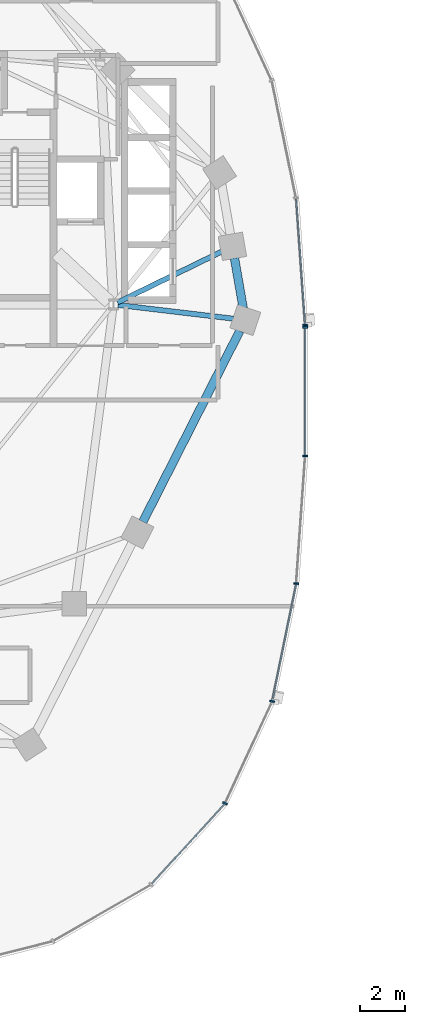
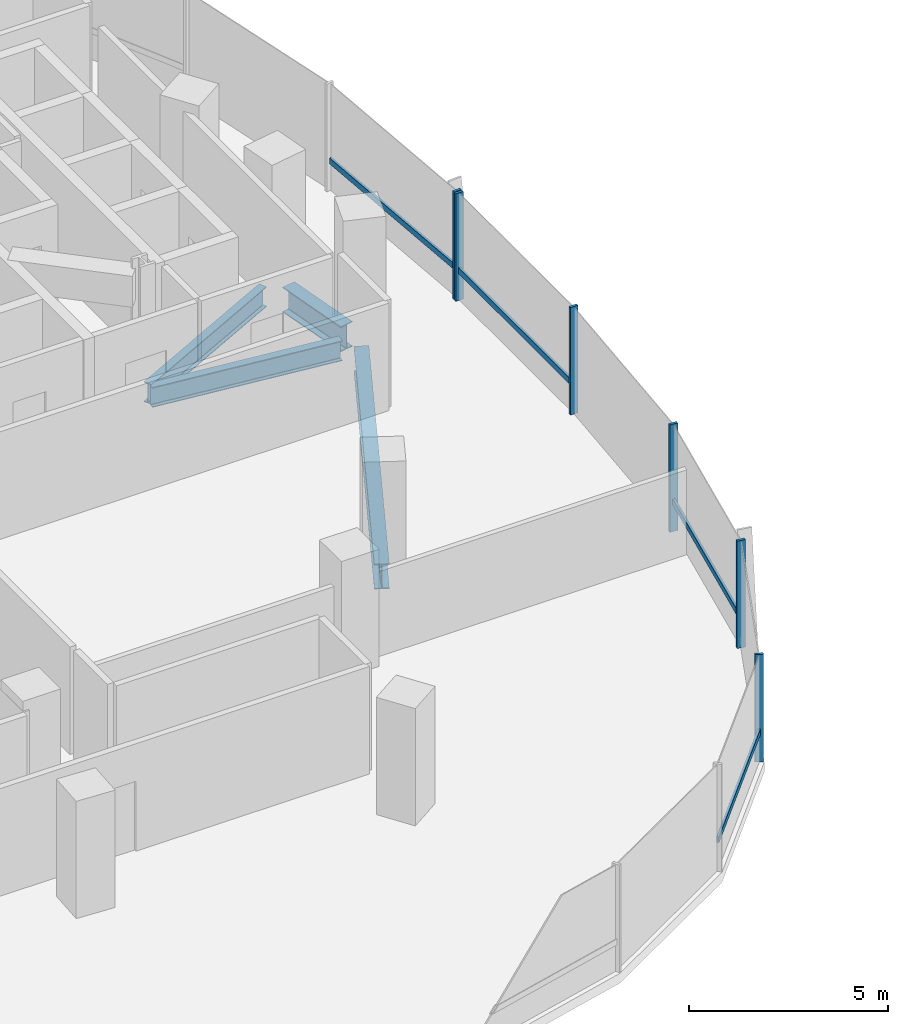
# One storey, part 3 of 21: 10 members, 4 beams, 2 elements without a shape of their own.
"""IFC4 building model written with IfcOpenShell, lengths in metres."""

from ifc_helpers import new_model, si_unit, direction, frame, origin, origin_2d, place, context, subcontext, project, spatial, rectangle, i_section, extrude, material, material_profile, profile_set, type_object, element, aggregate, save


model = new_model("IFC4")

# Units and contexts
model_context = context("Model", 3, precision=1e-05, world=origin(), true_north=direction((0.0, 1.0)))
body_context = subcontext(model_context, "Body", "Model", "MODEL_VIEW")
ifc_project = project(units=[si_unit("LENGTHUNIT", "METRE"), si_unit("AREAUNIT", "SQUARE_METRE"), si_unit("VOLUMEUNIT", "CUBIC_METRE"), si_unit("PLANEANGLEUNIT", "RADIAN"), si_unit("MASSUNIT", "GRAM", prefix="KILO"), si_unit("THERMODYNAMICTEMPERATUREUNIT", "KELVIN"), si_unit("POWERUNIT", "WATT")], contexts=[model_context])

# Site, building, storey
site_placement = place(None, origin())
site = spatial("IfcSite", under=ifc_project, at=site_placement, CompositionType="ELEMENT")
building_placement = place(site_placement, origin())
building = spatial("IfcBuilding", under=site, at=building_placement, Name="Cundina Bronze Exchange", CompositionType="ELEMENT")
storey_placement = place(building_placement, frame((0.0, 0.0, 110.60009765625)))
storey = spatial("IfcBuildingStorey", under=building, at=storey_placement, Name="L28", CompositionType="ELEMENT", Elevation=110.60009765625)

# Beams
ifc_material_1 = material(Name="Steel ASTM A992 Grade 50", Category="steel")
ifc_material_profile_1 = material_profile(ifc_material_1, i_section(OverallWidth=0.22998046875, OverallDepth=0.616943359375, WebThickness=0.01318359375, FlangeThickness=0.022216796875, FilletRadius=0.013916015625, at=origin_2d()), Name="W24X94", Category="steel")
ifc_profile_set_1 = profile_set([ifc_material_profile_1], Name="Steel ASTM A992 Grade 50")
beam_type_1 = type_object("IfcBeamType", Name="BM-FLR-W24B", PredefinedType="BEAM", material=ifc_profile_set_1)
beam_1_placement = place(storey_placement, frame((-21.247314453125, 3.8759765625, -0.608642578125), z_axis=(0.993035701683, -0.117813815752, 0.0), x_axis=(0.117813815752, 0.993035701683, 0.0)))
element("IfcBeam", 1, at=beam_1_placement, inside=storey, type_object=beam_type_1, Name="L28 Leg W Radial Floor Beam 00", PredefinedType="BEAM", context=body_context, shape_type="SweptSolid", body=[
    extrude(i_section(OverallWidth=0.22998046875, OverallDepth=0.616943359375, WebThickness=0.01318359375, FlangeThickness=0.022216796875, FilletRadius=0.013916015625, at=origin_2d()), origin(), (0.0, 0.0, 1.0), 5.19921875),
])
beam_2_placement = place(storey_placement, frame((-21.2666015625, 3.989501953125, -0.608642578125), z_axis=(0.898607246385, 0.438753936443, 0.0), x_axis=(-0.438753936443, 0.898607246385, 0.0)))
element("IfcBeam", 2, at=beam_2_placement, inside=storey, type_object=beam_type_1, Name="L28 Leg W Radial Floor Beam 01", PredefinedType="BEAM", context=body_context, shape_type="SweptSolid", body=[
    extrude(i_section(OverallWidth=0.22998046875, OverallDepth=0.616943359375, WebThickness=0.01318359375, FlangeThickness=0.022216796875, FilletRadius=0.013916015625, at=origin_2d()), origin(), (0.0, 0.0, 1.0), 5.183837890625),
])
ifc_material_profile_2 = material_profile(ifc_material_1, i_section(OverallWidth=0.381103515625, OverallDepth=0.77294921875, WebThickness=0.0166015625, FlangeThickness=0.027099609375, FilletRadius=0.01904296875, at=origin_2d()), Name="W30X173", Category="steel")
ifc_profile_set_2 = profile_set([ifc_material_profile_2], Name="Steel ASTM A992 Grade 50")
beam_type_2 = type_object("IfcBeamType", Name="BM-RING-W30", PredefinedType="USERDEFINED", material=ifc_profile_set_2)
beam_3_placement = place(storey_placement, frame((-15.642333984375, 3.72998046875, -0.6865234375), z_axis=(-0.171690078326, 0.985151012284, 0.0), x_axis=(-0.985151012284, -0.171690078326, 0.0)))
element("IfcBeam", 3, at=beam_3_placement, inside=storey, type_object=beam_type_2, Name="L28 W Perimeter Ring Girder 00", ObjectType="GIRDER", PredefinedType="USERDEFINED", context=body_context, shape_type="SweptSolid", body=[
    extrude(i_section(OverallWidth=0.381103515625, OverallDepth=0.77294921875, WebThickness=0.0166015625, FlangeThickness=0.027099609375, FilletRadius=0.01904296875, at=origin_2d()), origin(), (0.0, 0.0, 1.0), 2.273681640625),
])
beam_4_placement = place(storey_placement, frame((-20.13134765625, -5.8203125, -0.6865234375), z_axis=(0.452832332744, 0.891595692241, 0.0), x_axis=(-0.891595692241, 0.452832332744, 0.0)))
element("IfcBeam", 4, at=beam_4_placement, inside=storey, type_object=beam_type_2, Name="L28 W Perimeter Ring Girder 13", ObjectType="GIRDER", PredefinedType="USERDEFINED", context=body_context, shape_type="SweptSolid", body=[
    extrude(i_section(OverallWidth=0.381103515625, OverallDepth=0.77294921875, WebThickness=0.0166015625, FlangeThickness=0.027099609375, FilletRadius=0.01904296875, at=origin_2d()), origin(), (0.0, 0.0, 1.0), 9.578857421875),
])

# Curtain wall, member
ifc_material_2 = material(Name="Anodised Bronze Aluminium 6063-T6", Category="aluminium")
curtain_wall_type = type_object("IfcCurtainWallType", Name="CWS-TRD-MID", PredefinedType="NOTDEFINED", material=ifc_material_2)
curtain_wall_1_placement = place(storey_placement, origin())
curtain_wall_1 = element("IfcCurtainWall", 5, at=curtain_wall_1_placement, inside=storey, type_object=curtain_wall_type, Name="L28 CW-03 Curtain Wall Run CWR-L28-W1", PredefinedType="NOTDEFINED")
ifc_material_profile_3 = material_profile(ifc_material_2, rectangle(XDim=0.074951171875, YDim=0.219970703125, at=origin_2d()), Name="AL75X220", Category="aluminium")
ifc_profile_set_3 = profile_set([ifc_material_profile_3], Name="Anodised Bronze Aluminium 6063-T6")
member_type_1 = type_object("IfcMemberType", Name="CWM-MUL-220", PredefinedType="MULLION", material=ifc_profile_set_3)
member_1_placement = place(storey_placement, frame((-12.87548828125, 2.976318359375, 0.0), z_axis=(0.0, 0.0, 1.0), x_axis=(-0.070278787473, 0.997527389113, 0.0)))
member_1 = element("IfcMember", 6, at=member_1_placement, type_object=member_type_1, Name="CW-03 Mullion 1", PredefinedType="MULLION", context=body_context, shape_type="SweptSolid", body=[
    extrude(rectangle(XDim=0.074951171875, YDim=0.219970703125, at=origin_2d()), origin(), (0.0, 0.0, 1.0), 3.2998046875),
])

# Curtain wall, members
curtain_wall_2_placement = place(storey_placement, origin())
curtain_wall_2 = element("IfcCurtainWall", 7, at=curtain_wall_2_placement, inside=storey, type_object=curtain_wall_type, Name="L28 CW-03 Curtain Wall Run CWR-L28-W4", PredefinedType="NOTDEFINED")
member_2_placement = place(storey_placement, frame((-16.455810546875, -18.423583984375, 0.0), z_axis=(0.0, 0.0, 1.0), x_axis=(0.42087749791, 0.907117485088, 0.0)))
member_2 = element("IfcMember", 8, at=member_2_placement, type_object=member_type_1, Name="CW-03 Mullion 4", PredefinedType="MULLION", context=body_context, shape_type="SweptSolid", body=[
    extrude(rectangle(XDim=0.074951171875, YDim=0.219970703125, at=origin_2d()), origin(), (0.0, 0.0, 1.0), 3.2998046875),
])
member_3_placement = place(storey_placement, frame((-14.348876953125, -13.861328125, 0.0), z_axis=(0.0, 0.0, 1.0), x_axis=(0.201419845156, 0.979505000486, 0.0)))
member_3 = element("IfcMember", 9, at=member_3_placement, type_object=member_type_1, Name="CW-03 Mullion 5", PredefinedType="MULLION", context=body_context, shape_type="SweptSolid", body=[
    extrude(rectangle(XDim=0.074951171875, YDim=0.219970703125, at=origin_2d()), origin(), (0.0, 0.0, 1.0), 3.2998046875),
])
member_4_placement = place(storey_placement, frame((-13.27099609375, -8.591552734375, 0.0), z_axis=(0.0, 0.0, 1.0), x_axis=(0.070278787473, 0.997527389113, 0.0)))
member_4 = element("IfcMember", 10, at=member_4_placement, type_object=member_type_1, Name="CW-03 Mullion 6", PredefinedType="MULLION", context=body_context, shape_type="SweptSolid", body=[
    extrude(rectangle(XDim=0.074951171875, YDim=0.219970703125, at=origin_2d()), origin(), (0.0, 0.0, 1.0), 3.2998046875),
])
member_5_placement = place(storey_placement, frame((-12.8720703125, -2.880615234375, 0.0), z_axis=(0.0, 0.0, 1.0), x_axis=(0.0, 1.0, 0.0)))
member_5 = element("IfcMember", 11, at=member_5_placement, type_object=member_type_1, Name="CW-03 Mullion 7", PredefinedType="MULLION", context=body_context, shape_type="SweptSolid", body=[
    extrude(rectangle(XDim=0.074951171875, YDim=0.219970703125, at=origin_2d()), origin(), (0.0, 0.0, 1.0), 3.2998046875),
])
member_6_placement = place(storey_placement, frame((-12.8720703125, 2.880615234375, 0.0), z_axis=(0.0, 0.0, 1.0), x_axis=(0.0, 1.0, 0.0)))
member_6 = element("IfcMember", 12, at=member_6_placement, type_object=member_type_1, Name="CW-03 End Mullion", PredefinedType="MULLION", context=body_context, shape_type="SweptSolid", body=[
    extrude(rectangle(XDim=0.074951171875, YDim=0.219970703125, at=origin_2d()), origin(), (0.0, 0.0, 1.0), 3.2998046875),
])

# Member
ifc_material_profile_4 = material_profile(ifc_material_2, rectangle(XDim=0.070068359375, YDim=0.179931640625, at=origin_2d()), Name="AL70X180", Category="aluminium")
ifc_profile_set_4 = profile_set([ifc_material_profile_4], Name="Anodised Bronze Aluminium 6063-T6")
member_type_2 = type_object("IfcMemberType", Name="CWM-TRN-180", PredefinedType="USERDEFINED", material=ifc_profile_set_4)
member_7_placement = place(storey_placement, frame((-12.87841796875, 3.017333984375, 0.919921875), z_axis=(-0.070260714471, 0.997528662246, 0.0), x_axis=(-0.997528662246, -0.070260714471, 0.0)))
member_7 = element("IfcMember", 13, at=member_7_placement, type_object=member_type_2, Name="CW-03 Spandrel Transom 1", ObjectType="TRANSOM", PredefinedType="USERDEFINED", context=body_context, shape_type="SweptSolid", body=[
    extrude(rectangle(XDim=0.070068359375, YDim=0.179931640625, at=origin_2d()), origin(), (0.0, 0.0, 1.0), 5.629150390625),
])

aggregate(curtain_wall_1, [member_1, member_7])

member_8_placement = place(storey_placement, frame((-19.73291015625, -22.027099609375, 0.919921875), z_axis=(0.674302794847, 0.738454968743, 0.0), x_axis=(-0.738454968743, 0.674302794847, 0.0)))
member_8 = element("IfcMember", 14, at=member_8_placement, type_object=member_type_2, Name="CW-03 Spandrel Transom 3", ObjectType="TRANSOM", PredefinedType="USERDEFINED", context=body_context, shape_type="SweptSolid", body=[
    extrude(rectangle(XDim=0.070068359375, YDim=0.179931640625, at=origin_2d()), origin(), (0.0, 0.0, 1.0), 4.848388671875),
])

member_9_placement = place(storey_placement, frame((-14.340576171875, -13.821044921875, 0.919921875), z_axis=(0.201427712708, 0.979503382615, 0.0), x_axis=(-0.979503382615, 0.201427712708, 0.0)))
member_9 = element("IfcMember", 15, at=member_9_placement, type_object=member_type_2, Name="CW-03 Spandrel Transom 5", ObjectType="TRANSOM", PredefinedType="USERDEFINED", context=body_context, shape_type="SweptSolid", body=[
    extrude(rectangle(XDim=0.070068359375, YDim=0.179931640625, at=origin_2d()), origin(), (0.0, 0.0, 1.0), 5.291748046875),
])

member_10_placement = place(storey_placement, frame((-12.8720703125, -2.839111328125, 0.919921875), z_axis=(0.0, 1.0, 0.0), x_axis=(-1.0, 0.0, 0.0)))
member_10 = element("IfcMember", 16, at=member_10_placement, type_object=member_type_2, Name="CW-03 Spandrel Transom 7", ObjectType="TRANSOM", PredefinedType="USERDEFINED", context=body_context, shape_type="SweptSolid", body=[
    extrude(rectangle(XDim=0.070068359375, YDim=0.179931640625, at=origin_2d()), origin(), (0.0, 0.0, 1.0), 5.67822265625),
])

aggregate(curtain_wall_2, [member_8, member_2, member_3, member_9, member_4, member_5, member_6, member_10])

save(model, "model.ifc")
